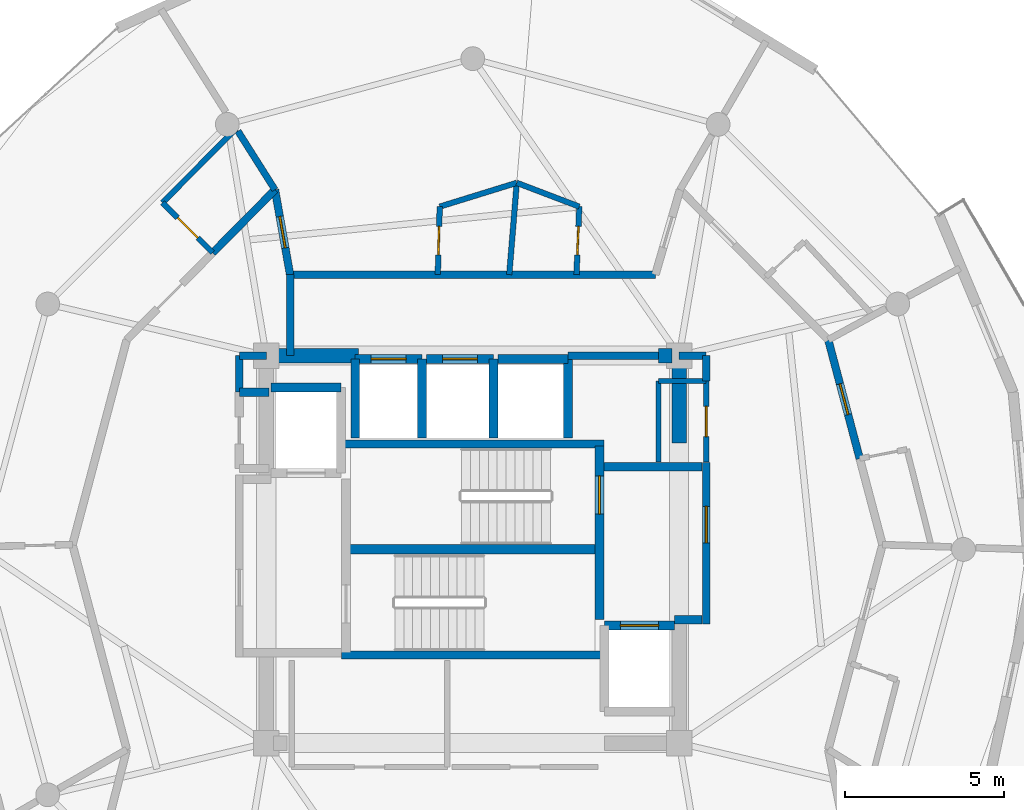
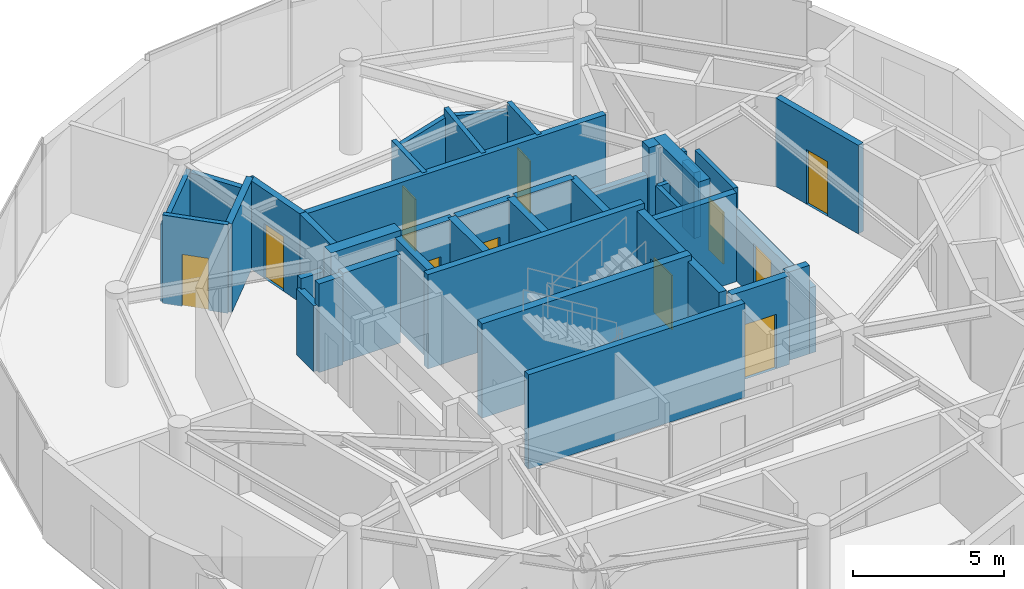
# One storey, part 18 of 22: 41 walls, 11 doors, 11 openings.
"""IFC4 building model written with IfcOpenShell, lengths in metres."""

from ifc_helpers import new_model, si_unit, direction, frame, frame_2d, origin, place, context, subcontext, project, spatial, rectangle, extrude, material, layer, layer_set, type_object, element, fill, save


model = new_model("IFC4")

# Units and contexts
model_context = context("Model", 3, precision=1e-05, world=origin(), true_north=direction((0.0, 1.0)))
body_context = subcontext(model_context, "Body", "Model", "MODEL_VIEW")
ifc_project = project(units=[si_unit("LENGTHUNIT", "METRE"), si_unit("AREAUNIT", "SQUARE_METRE"), si_unit("VOLUMEUNIT", "CUBIC_METRE"), si_unit("PLANEANGLEUNIT", "RADIAN"), si_unit("MASSUNIT", "GRAM", prefix="KILO")], contexts=[model_context])

# Site, building, storey
site_placement = place(None, origin())
site = spatial("IfcSite", under=ifc_project, at=site_placement, CompositionType="ELEMENT")
building_placement = place(site_placement, origin())
building = spatial("IfcBuilding", under=site, at=building_placement, Name="Solvirekh Grand Hotel", CompositionType="ELEMENT")
storey_placement = place(building_placement, frame((0.0, 0.0, 289.60009765625)))
storey = spatial("IfcBuildingStorey", under=building, at=storey_placement, Name="L75", CompositionType="ELEMENT", Elevation=289.60009765625)

# Walls
ifc_material_1 = material(Name="Concrete C50/60", Category="concrete")
ifc_layer_1 = layer(ifc_material_1, 0.35009765625)
ifc_layer_set_1 = layer_set([ifc_layer_1], Name="Concrete C50/60")
wall_type_1 = type_object("IfcWallType", Name="CoreDivWall_RC350", PredefinedType="SOLIDWALL", material=ifc_layer_set_1)
for number, where, z_axis, x_axis, name in (
    (1, (-4.1298828125, -3.324951171875, 0.0), (0.0, 0.0, 1.0), (1.0, 0.0, 0.0), "L75 core stair box wall ST-S"),
    (2, (-4.1298828125, 3.324951171875, 0.0), (0.0, 0.0, 1.0), (1.0, 0.0, 0.0), "L75 core stair box wall ST-N"),
):
    element("IfcWall", number, at=place(storey_placement, frame(where, z_axis=z_axis, x_axis=x_axis)), inside=storey, type_object=wall_type_1, Name=name, PredefinedType="SOLIDWALL", context=body_context, shape_type="SweptSolid", body=[
        extrude(rectangle(XDim=8.259765625, YDim=0.25, at=frame_2d((4.1298828125, 0.0))), origin(), (0.0, 0.0, 1.0), 3.7998046875),
    ])

# Wall, opening, door
ifc_material_2 = material(Name="Concrete C40/50", Category="concrete")
ifc_layer_2 = layer(ifc_material_2, 0.280029296875)
ifc_layer_set_2 = layer_set([ifc_layer_2], Name="Concrete C40/50")
wall_type_2 = type_object("IfcWallType", Name="CoreShaftWall_RC280", PredefinedType="SOLIDWALL", material=ifc_layer_set_2)
wall_1_placement = place(storey_placement, frame((-1.60009765625, 6.0, 0.0), z_axis=(0.0, 0.0, 1.0), x_axis=(-1.0, 0.0, 0.0)))
wall_1 = element("IfcWall", 3, at=wall_1_placement, inside=storey, type_object=wall_type_2, Name="L75 HP-1 hoistway N wall", PredefinedType="SOLIDWALL", context=body_context, shape_type="SweptSolid", body=[
    extrude(rectangle(XDim=2.099853515625, YDim=0.280029296875, at=frame_2d((1.0498046875, 0.0))), origin(), (0.0, 0.0, 1.0), 3.56982421875),
])
opening_1_placement = place(wall_1_placement, frame((0.5, 0.0, 0.0)))
opening_1 = element("IfcOpeningElement", 4, at=opening_1_placement, cuts=wall_1, Name="Opening LD01", PredefinedType="OPENING", context=body_context, shape_type="SweptSolid", body=[
    extrude(rectangle(XDim=1.10009765625, YDim=2.199951171875, at=frame_2d((0.550048828125, 1.10009765625))), frame((0.0, 0.14990234375, 0.0), z_axis=(0.0, -1.0, 0.0), x_axis=(1.0, 0.0, 0.0)), (0.0, 0.0, 1.0), 0.300048828125),
])
ifc_material_3 = material(Name="Fire-Rated Steel Door Assembly", Category="steel")
door_type_1 = type_object("IfcDoorType", Name="Door_LiftLanding_1100X2200", OperationType="SLIDING_TO_LEFT", PredefinedType="DOOR", material=ifc_material_3)
door_1_placement = place(opening_1_placement, origin())
door_1 = element("IfcDoor", 5, at=door_1_placement, inside=storey, type_object=door_type_1, Name="L75 HP-1 sliding lift landing door", OperationType="SLIDING_TO_LEFT", OverallHeight=2.199951171875, OverallWidth=1.10009765625, PredefinedType="DOOR", context=body_context, shape_type="SweptSolid", body=[
    extrude(rectangle(XDim=1.10009765625, YDim=2.199951171875, at=frame_2d((0.550048828125, 1.10009765625))), frame((0.0, 0.02490234375, 0.0), z_axis=(0.0, -1.0, 0.0), x_axis=(1.0, 0.0, 0.0)), (0.0, 0.0, 1.0), 0.050048828125),
])
fill(opening_1, door_1)

# Walls
for number, where, z_axis, x_axis, name in (
    (6, (-3.699951171875, 6.0, 0.0), (0.0, 0.0, 1.0), (0.0, -1.0, 0.0), "L75 HP-1 hoistway W wall"),
    (7, (-1.60009765625, 3.5, 0.0), (0.0, 0.0, 1.0), (0.0, 1.0, 0.0), "L75 HP-1 hoistway E wall"),
):
    element("IfcWall", number, at=place(storey_placement, frame(where, z_axis=z_axis, x_axis=x_axis)), inside=storey, type_object=wall_type_2, Name=name, PredefinedType="SOLIDWALL", context=body_context, shape_type="SweptSolid", body=[
        extrude(rectangle(XDim=2.5, YDim=0.280029296875, at=frame_2d((1.25, 0.0))), origin(), (0.0, 0.0, 1.0), 3.56982421875),
    ])

# Wall, opening, door
wall_2_placement = place(storey_placement, frame((0.64990234375, 6.0, 0.0), z_axis=(0.0, 0.0, 1.0), x_axis=(-1.0, 0.0, 0.0)))
wall_2 = element("IfcWall", 8, at=wall_2_placement, inside=storey, type_object=wall_type_2, Name="L75 HP-2 hoistway N wall", PredefinedType="SOLIDWALL", context=body_context, shape_type="SweptSolid", body=[
    extrude(rectangle(XDim=2.099853515625, YDim=0.280029296875, at=frame_2d((1.0498046875, 0.0))), origin(), (0.0, 0.0, 1.0), 3.56982421875),
])
opening_2_placement = place(wall_2_placement, frame((0.5, 0.0, 0.0)))
opening_2 = element("IfcOpeningElement", 9, at=opening_2_placement, cuts=wall_2, Name="Opening LD01", PredefinedType="OPENING", context=body_context, shape_type="SweptSolid", body=[
    extrude(rectangle(XDim=1.10009765625, YDim=2.199951171875, at=frame_2d((0.550048828125, 1.10009765625))), frame((0.0, 0.14990234375, 0.0), z_axis=(0.0, -1.0, 0.0), x_axis=(1.0, 0.0, 0.0)), (0.0, 0.0, 1.0), 0.300048828125),
])
door_2_placement = place(opening_2_placement, origin())
door_2 = element("IfcDoor", 10, at=door_2_placement, inside=storey, type_object=door_type_1, Name="L75 HP-2 sliding lift landing door", OperationType="SLIDING_TO_LEFT", OverallHeight=2.199951171875, OverallWidth=1.10009765625, PredefinedType="DOOR", context=body_context, shape_type="SweptSolid", body=[
    extrude(rectangle(XDim=1.10009765625, YDim=2.199951171875, at=frame_2d((0.550048828125, 1.10009765625))), frame((0.0, 0.02490234375, 0.0), z_axis=(0.0, -1.0, 0.0), x_axis=(1.0, 0.0, 0.0)), (0.0, 0.0, 1.0), 0.050048828125),
])
fill(opening_2, door_2)

# Walls
wall_3_placement = place(storey_placement, frame((0.64990234375, 3.5, 0.0), z_axis=(0.0, 0.0, 1.0), x_axis=(0.0, 1.0, 0.0)))
element("IfcWall", 11, at=wall_3_placement, inside=storey, type_object=wall_type_2, Name="L75 HP-2 hoistway E wall", PredefinedType="SOLIDWALL", context=body_context, shape_type="SweptSolid", body=[
    extrude(rectangle(XDim=2.5, YDim=0.280029296875, at=frame_2d((1.25, 0.0))), origin(), (0.0, 0.0, 1.0), 3.56982421875),
])
wall_4_placement = place(storey_placement, frame((3.0, 6.0, 0.0), z_axis=(0.0, 0.0, 1.0), x_axis=(-1.0, 0.0, 0.0)))
element("IfcWall", 12, at=wall_4_placement, inside=storey, type_object=wall_type_2, Name="L75 EX-1 hoistway N wall", PredefinedType="SOLIDWALL", context=body_context, shape_type="SweptSolid", body=[
    extrude(rectangle(XDim=2.199951171875, YDim=0.280029296875, at=frame_2d((1.10009765625, 0.0))), origin(), (0.0, 0.0, 1.0), 3.56982421875),
])
wall_5_placement = place(storey_placement, frame((3.0, 3.5, 0.0), z_axis=(0.0, 0.0, 1.0), x_axis=(0.0, 1.0, 0.0)))
element("IfcWall", 13, at=wall_5_placement, inside=storey, type_object=wall_type_2, Name="L75 EX-1 hoistway E wall", PredefinedType="SOLIDWALL", context=body_context, shape_type="SweptSolid", body=[
    extrude(rectangle(XDim=2.5, YDim=0.280029296875, at=frame_2d((1.25, 0.0))), origin(), (0.0, 0.0, 1.0), 3.56982421875),
])
wall_6_placement = place(storey_placement, frame((-4.14990234375, 5.10009765625, 0.0), z_axis=(0.0, 0.0, 1.0), x_axis=(-1.0, 0.0, 0.0)))
element("IfcWall", 14, at=wall_6_placement, inside=storey, type_object=wall_type_2, Name="L75 FL-1 hoistway N wall", PredefinedType="SOLIDWALL", context=body_context, shape_type="SweptSolid", body=[
    extrude(rectangle(XDim=2.2001953125, YDim=0.280029296875, at=frame_2d((1.10009765625, 0.0))), origin(), (0.0, 0.0, 1.0), 3.56982421875),
])

# Wall, opening, door
wall_7_placement = place(storey_placement, frame((6.35009765625, -2.39990234375, 0.0), z_axis=(0.0, 0.0, 1.0), x_axis=(-1.0, 0.0, 0.0)))
wall_7 = element("IfcWall", 15, at=wall_7_placement, inside=storey, type_object=wall_type_2, Name="L75 FL-2 hoistway N wall", PredefinedType="SOLIDWALL", context=body_context, shape_type="SweptSolid", body=[
    extrude(rectangle(XDim=2.2001953125, YDim=0.280029296875, at=frame_2d((1.10009765625, 0.0))), origin(), (0.0, 0.0, 1.0), 3.56982421875),
])
opening_3_placement = place(wall_7_placement, frame((0.5, 0.0, 0.0)))
opening_3 = element("IfcOpeningElement", 16, at=opening_3_placement, cuts=wall_7, Name="Opening LD02", PredefinedType="OPENING", context=body_context, shape_type="SweptSolid", body=[
    extrude(rectangle(XDim=1.199951171875, YDim=2.199951171875, at=frame_2d((0.60009765625, 1.10009765625))), frame((0.0, 0.14990234375, 0.0), z_axis=(0.0, -1.0, 0.0), x_axis=(1.0, 0.0, 0.0)), (0.0, 0.0, 1.0), 0.300048828125),
])
door_type_2 = type_object("IfcDoorType", Name="Door_LiftFF_1200X2200", OperationType="SLIDING_TO_LEFT", PredefinedType="DOOR", material=ifc_material_3)
door_3_placement = place(opening_3_placement, origin())
door_3 = element("IfcDoor", 17, at=door_3_placement, inside=storey, type_object=door_type_2, Name="L75 FL-2 sliding lift landing door", OperationType="SLIDING_TO_LEFT", OverallHeight=2.199951171875, OverallWidth=1.199951171875, PredefinedType="DOOR", context=body_context, shape_type="SweptSolid", body=[
    extrude(rectangle(XDim=1.199951171875, YDim=2.199951171875, at=frame_2d((0.60009765625, 1.10009765625))), frame((0.0, 0.02490234375, 0.0), z_axis=(0.0, -1.0, 0.0), x_axis=(1.0, 0.0, 0.0)), (0.0, 0.0, 1.0), 0.050048828125),
])
fill(opening_3, door_3)

wall_8_placement = place(storey_placement, frame((3.989990234375, -2.2099609375, 0.0), z_axis=(0.0, 0.0, 1.0), x_axis=(0.0, 1.0, 0.0)))
wall_8 = element("IfcWall", 18, at=wall_8_placement, inside=storey, type_object=wall_type_2, Name="L75 east stair landing enclosure wall", PredefinedType="SOLIDWALL", context=body_context, shape_type="SweptSolid", body=[
    extrude(rectangle(XDim=5.4599609375, YDim=0.280029296875, at=frame_2d((2.72998046875, 0.0))), origin(), (0.0, 0.0, 1.0), 3.56982421875),
])
opening_4_placement = place(wall_8_placement, frame((3.322998046875, 0.0, 0.0)))
opening_4 = element("IfcOpeningElement", 19, at=opening_4_placement, cuts=wall_8, Name="Opening D05", PredefinedType="OPENING", context=body_context, shape_type="SweptSolid", body=[
    extrude(rectangle(XDim=1.199951171875, YDim=2.199951171875, at=frame_2d((0.60009765625, 1.10009765625))), frame((0.0, 0.14990234375, 0.0), z_axis=(0.0, -1.0, 0.0), x_axis=(1.0, 0.0, 0.0)), (0.0, 0.0, 1.0), 0.300048828125),
])
door_type_3 = type_object("IfcDoorType", Name="Door_StairCore_1200X2200", OperationType="NOTDEFINED", PredefinedType="DOOR", material=ifc_material_3)
door_4_placement = place(opening_4_placement, origin())
door_4 = element("IfcDoor", 20, at=door_4_placement, inside=storey, type_object=door_type_3, Name="L75 exit stair ST-2 fire door", OperationType="SINGLE_SWING_RIGHT", OverallHeight=2.199951171875, OverallWidth=1.199951171875, PredefinedType="DOOR", context=body_context, shape_type="SweptSolid", body=[
    extrude(rectangle(XDim=1.199951171875, YDim=2.199951171875, at=frame_2d((0.60009765625, 1.10009765625))), frame((0.0, 0.02490234375, 0.0), z_axis=(0.0, -1.0, 0.0), x_axis=(1.0, 0.0, 0.0)), (0.0, 0.0, 1.0), 0.050048828125),
])
fill(opening_4, door_4)

# Walls
ifc_layer_3 = layer(ifc_material_1, 0.449951171875)
ifc_layer_set_3 = layer_set([ifc_layer_3], Name="Concrete C50/60")
wall_type_3 = type_object("IfcWallType", Name="CoreWall_RC450", PredefinedType="SHEAR", material=ifc_layer_set_3)
wall_9_placement = place(storey_placement, frame((-3.989990234375, 0.0, 0.0), z_axis=(0.0, 0.0, 1.0), x_axis=(1.0, 0.0, 0.0)))
element("IfcWall", 21, at=wall_9_placement, inside=storey, type_object=wall_type_3, Name="L75 central stair-spine shear wall", PredefinedType="SHEAR", context=body_context, shape_type="SweptSolid", body=[
    extrude(rectangle(XDim=7.97998046875, YDim=0.300048828125, at=frame_2d((3.989990234375, 0.0))), origin(), (0.0, 0.0, 1.0), 3.7998046875),
])
wall_10_placement = place(storey_placement, frame((-6.27490234375, 6.10009765625, 0.0), z_axis=(0.0, 0.0, 1.0), x_axis=(1.0, 0.0, 0.0)))
element("IfcWall", 22, at=wall_10_placement, inside=storey, type_object=wall_type_3, Name="L75 core corner shear wall NW-N", PredefinedType="SHEAR", context=body_context, shape_type="SweptSolid", body=[
    extrude(rectangle(XDim=2.6748046875, YDim=0.449951171875, at=frame_2d((1.33740234375, 0.0))), origin(), (0.0, 0.0, 1.0), 3.7998046875),
])
wall_11_placement = place(storey_placement, frame((5.85009765625, 6.10009765625, 0.0), z_axis=(0.0, 0.0, 1.0), x_axis=(1.0, 0.0, 0.0)))
element("IfcWall", 23, at=wall_11_placement, inside=storey, type_object=wall_type_3, Name="L75 core corner shear wall NE-N", PredefinedType="SHEAR", context=body_context, shape_type="SweptSolid", body=[
    extrude(rectangle(XDim=0.4248046875, YDim=0.449951171875, at=frame_2d((0.21240234375, 0.0))), origin(), (0.0, 0.0, 1.0), 3.7998046875),
])
wall_12_placement = place(storey_placement, frame((6.5, 3.35009765625, 0.0), z_axis=(0.0, 0.0, 1.0), x_axis=(0.0, 1.0, 0.0)))
element("IfcWall", 24, at=wall_12_placement, inside=storey, type_object=wall_type_3, Name="L75 core corner shear wall EN-E", PredefinedType="SHEAR", context=body_context, shape_type="SweptSolid", body=[
    extrude(rectangle(XDim=2.974853515625, YDim=0.449951171875, at=frame_2d((1.4873046875, 0.0))), origin(), (0.0, 0.0, 1.0), 3.7998046875),
])

# Wall, opening, door
ifc_material_4 = material(Name="Acoustic Gypsum Partition Assembly")
ifc_layer_4 = layer(ifc_material_4, 0.1650390625)
ifc_layer_set_4 = layer_set([ifc_layer_4], Name="Acoustic Gypsum Partition Assembly")
wall_type_4 = type_object("IfcWallType", Name="Part_BOH_165", PredefinedType="PARTITIONING", material=ifc_layer_set_4)
wall_13_placement = place(storey_placement, frame((7.35009765625, 2.75, 0.0), z_axis=(0.0, 0.0, 1.0), x_axis=(0.0, 1.0, 0.0)))
wall_13 = element("IfcWall", 25, at=wall_13_placement, inside=storey, type_object=wall_type_4, Name="L75 L75 Core Housekeeping & Linen Room wall 2", PredefinedType="PARTITIONING", context=body_context, shape_type="SweptSolid", body=[
    extrude(rectangle(XDim=2.550048828125, YDim=0.1650390625, at=frame_2d((1.27490234375, 0.0))), origin(), (0.0, 0.0, 1.0), 3.56982421875),
])
opening_5_placement = place(wall_13_placement, frame((0.800048828125, 0.0, 0.0)))
opening_5 = element("IfcOpeningElement", 26, at=opening_5_placement, cuts=wall_13, Name="Opening D10", PredefinedType="OPENING", context=body_context, shape_type="SweptSolid", body=[
    extrude(rectangle(XDim=0.949951171875, YDim=2.10009765625, at=frame_2d((0.47509765625, 1.050048828125))), frame((0.0, 0.092529296875, 0.0), z_axis=(0.0, -1.0, 0.0), x_axis=(1.0, 0.0, 0.0)), (0.0, 0.0, 1.0), 0.18505859375),
])
ifc_material_5 = material(Name="Anodized Bronze Aluminium 6063-T6", Category="aluminium")
door_type_4 = type_object("IfcDoorType", Name="Door_RoomInt_950X2100", OperationType="NOTDEFINED", PredefinedType="DOOR", material=ifc_material_5)
door_5_placement = place(opening_5_placement, origin())
door_5 = element("IfcDoor", 27, at=door_5_placement, inside=storey, type_object=door_type_4, Name="L75 L75 Core Housekeeping & Linen Room door", OperationType="SINGLE_SWING_RIGHT", OverallHeight=2.10009765625, OverallWidth=0.949951171875, PredefinedType="DOOR", context=body_context, shape_type="SweptSolid", body=[
    extrude(rectangle(XDim=0.949951171875, YDim=2.10009765625, at=frame_2d((0.47509765625, 1.050048828125))), frame((0.0, 0.02490234375, 0.0), z_axis=(0.0, -1.0, 0.0), x_axis=(1.0, 0.0, 0.0)), (0.0, 0.0, 1.0), 0.050048828125),
])
fill(opening_5, door_5)

# Walls
wall_14_placement = place(storey_placement, frame((7.35009765625, 5.300048828125, 0.0), z_axis=(0.0, 0.0, 1.0), x_axis=(-1.0, 0.0, 0.0)))
element("IfcWall", 28, at=wall_14_placement, inside=storey, type_object=wall_type_4, Name="L75 L75 Core Housekeeping & Linen Room wall 3", PredefinedType="PARTITIONING", context=body_context, shape_type="SweptSolid", body=[
    extrude(rectangle(XDim=1.5, YDim=0.1650390625, at=frame_2d((0.75, 0.0))), origin(), (0.0, 0.0, 1.0), 2.65478515625),
])
wall_15_placement = place(storey_placement, frame((5.85009765625, 5.300048828125, 0.0), z_axis=(0.0, 0.0, 1.0), x_axis=(0.0, -1.0, 0.0)))
element("IfcWall", 29, at=wall_15_placement, inside=storey, type_object=wall_type_4, Name="L75 L75 Core Housekeeping & Linen Room wall 4", PredefinedType="PARTITIONING", context=body_context, shape_type="SweptSolid", body=[
    extrude(rectangle(XDim=2.550048828125, YDim=0.1650390625, at=frame_2d((1.27490234375, 0.0))), origin(), (0.0, 0.0, 1.0), 2.65478515625),
])

# Wall, opening, door
ifc_layer_5 = layer(ifc_material_4, 0.239990234375)
ifc_layer_set_5 = layer_set([ifc_layer_5], Name="Acoustic Gypsum Partition Assembly")
wall_type_5 = type_object("IfcWallType", Name="Part_Corridor_240", PredefinedType="PARTITIONING", material=ifc_layer_set_5)
wall_16_placement = place(storey_placement, frame((7.35009765625, -2.340087890625, 0.0), z_axis=(0.0, 0.0, 1.0), x_axis=(0.0, 1.0, 0.0)))
wall_16 = element("IfcWall", 30, at=wall_16_placement, inside=storey, type_object=wall_type_5, Name="L75 east firefighting lobby smoke screen wall", PredefinedType="PARTITIONING", context=body_context, shape_type="SweptSolid", body=[
    extrude(rectangle(XDim=5.070068359375, YDim=0.239990234375, at=frame_2d((2.53515625, 0.0))), origin(), (0.0, 0.0, 1.0), 2.65478515625),
])
opening_6_placement = place(wall_16_placement, frame((2.548095703125, 0.0, 0.0)))
opening_6 = element("IfcOpeningElement", 31, at=opening_6_placement, cuts=wall_16, Name="Opening D06", PredefinedType="OPENING", context=body_context, shape_type="SweptSolid", body=[
    extrude(rectangle(XDim=1.14990234375, YDim=2.199951171875, at=frame_2d((0.574951171875, 1.10009765625))), frame((0.0, 0.1298828125, 0.0), z_axis=(0.0, -1.0, 0.0), x_axis=(1.0, 0.0, 0.0)), (0.0, 0.0, 1.0), 0.260009765625),
])
door_type_5 = type_object("IfcDoorType", Name="Door_FFLobby_1150X2200", OperationType="NOTDEFINED", PredefinedType="DOOR", material=ifc_material_3)
door_6_placement = place(opening_6_placement, origin())
door_6 = element("IfcDoor", 32, at=door_6_placement, inside=storey, type_object=door_type_5, Name="L75 east firefighting lobby smoke door", OperationType="SINGLE_SWING_RIGHT", OverallHeight=2.199951171875, OverallWidth=1.14990234375, PredefinedType="DOOR", context=body_context, shape_type="SweptSolid", body=[
    extrude(rectangle(XDim=1.14990234375, YDim=2.199951171875, at=frame_2d((0.574951171875, 1.10009765625))), frame((0.0, 0.02490234375, 0.0), z_axis=(0.0, -1.0, 0.0), x_axis=(1.0, 0.0, 0.0)), (0.0, 0.0, 1.0), 0.050048828125),
])
fill(opening_6, door_6)

# Walls
wall_17_placement = place(storey_placement, frame((-5.75, 8.64990234375, 0.0), z_axis=(0.0, 0.0, 1.0), x_axis=(1.0, 0.0, 0.0)))
element("IfcWall", 33, at=wall_17_placement, inside=storey, type_object=wall_type_5, Name="L75 north lift lobby enclosure wall", PredefinedType="PARTITIONING", context=body_context, shape_type="SweptSolid", body=[
    extrude(rectangle(XDim=11.5, YDim=0.239990234375, at=frame_2d((5.75, 0.0))), origin(), (0.0, 0.0, 1.0), 3.56982421875),
])
wall_18_placement = place(storey_placement, frame((3.0, 6.10009765625, 0.0), z_axis=(0.0, 0.0, 1.0), x_axis=(1.0, 0.0, 0.0)))
element("IfcWall", 34, at=wall_18_placement, inside=storey, type_object=wall_type_5, Name="L75 north core shaft infill wall", PredefinedType="PARTITIONING", context=body_context, shape_type="SweptSolid", body=[
    extrude(rectangle(XDim=2.85009765625, YDim=0.239990234375, at=frame_2d((1.425048828125, 0.0))), origin(), (0.0, 0.0, 1.0), 2.65478515625),
])
wall_19_placement = place(storey_placement, frame((7.35009765625, 5.300048828125, 0.0), z_axis=(0.0, 0.0, 1.0), x_axis=(0.0, 1.0, 0.0)))
element("IfcWall", 35, at=wall_19_placement, inside=storey, type_object=wall_type_5, Name="L75 NE core cheek closure wall", PredefinedType="PARTITIONING", context=body_context, shape_type="SweptSolid", body=[
    extrude(rectangle(XDim=0.800048828125, YDim=0.239990234375, at=frame_2d((0.39990234375, 0.0))), origin(), (0.0, 0.0, 1.0), 2.65478515625),
])
wall_20_placement = place(storey_placement, frame((6.5, 6.10009765625, 0.0), z_axis=(0.0, 0.0, 1.0), x_axis=(1.0, 0.0, 0.0)))
element("IfcWall", 36, at=wall_20_placement, inside=storey, type_object=wall_type_5, Name="L75 NE core corner tie wall", PredefinedType="PARTITIONING", context=body_context, shape_type="SweptSolid", body=[
    extrude(rectangle(XDim=0.85009765625, YDim=0.239990234375, at=frame_2d((0.425048828125, 0.0))), origin(), (0.0, 0.0, 1.0), 3.0849609375),
])
wall_21_placement = place(storey_placement, frame((-5.75, 6.10009765625, 0.0), z_axis=(0.0, 0.0, 1.0), x_axis=(0.0, 1.0, 0.0)))
element("IfcWall", 37, at=wall_21_placement, inside=storey, type_object=wall_type_5, Name="L75 north lift lobby west wall", PredefinedType="PARTITIONING", context=body_context, shape_type="SweptSolid", body=[
    extrude(rectangle(XDim=2.5498046875, YDim=0.239990234375, at=frame_2d((1.27490234375, 0.0))), origin(), (0.0, 0.0, 1.0), 3.56982421875),
])
wall_22_placement = place(storey_placement, frame((-7.35009765625, 4.949951171875, 0.0), z_axis=(0.0, 0.0, 1.0), x_axis=(0.0, 1.0, 0.0)))
element("IfcWall", 38, at=wall_22_placement, inside=storey, type_object=wall_type_5, Name="L75 NW core cheek closure wall", PredefinedType="PARTITIONING", context=body_context, shape_type="SweptSolid", body=[
    extrude(rectangle(XDim=1.150146484375, YDim=0.239990234375, at=frame_2d((0.5751953125, 0.0))), origin(), (0.0, 0.0, 1.0), 2.65478515625),
])
wall_23_placement = place(storey_placement, frame((-7.35009765625, 6.10009765625, 0.0), z_axis=(0.0, 0.0, 1.0), x_axis=(1.0, 0.0, 0.0)))
element("IfcWall", 39, at=wall_23_placement, inside=storey, type_object=wall_type_5, Name="L75 NW core corner tie wall", PredefinedType="PARTITIONING", context=body_context, shape_type="SweptSolid", body=[
    extrude(rectangle(XDim=0.85009765625, YDim=0.239990234375, at=frame_2d((0.425048828125, 0.0))), origin(), (0.0, 0.0, 1.0), 3.0849609375),
])

# Wall, opening, door
wall_24_placement = place(storey_placement, frame((-6.22509765625, 11.322021484375, 0.0), z_axis=(0.0, 0.0, 1.0), x_axis=(0.175052712288, -0.984559062688, 0.0)))
wall_24 = element("IfcWall", 40, at=wall_24_placement, inside=storey, type_object=wall_type_5, Name="L75 Panorama Suite 7702 entrance wall", PredefinedType="PARTITIONING", context=body_context, shape_type="SweptSolid", body=[
    extrude(rectangle(XDim=2.714111328125, YDim=0.239990234375, at=frame_2d((1.35693359375, 0.0))), origin(), (0.0, 0.0, 1.0), 3.56982421875),
])
opening_7_placement = place(wall_24_placement, frame((0.85693359375, 0.0, 0.0)))
opening_7 = element("IfcOpeningElement", 41, at=opening_7_placement, cuts=wall_24, Name="Opening D07", PredefinedType="OPENING", context=body_context, shape_type="SweptSolid", body=[
    extrude(rectangle(XDim=1.0, YDim=2.199951171875, at=frame_2d((0.5, 1.10009765625))), frame((0.0, 0.1298828125, 0.0), z_axis=(0.0, -1.0, 0.0), x_axis=(1.0, 0.0, 0.0)), (0.0, 0.0, 1.0), 0.260009765625),
])
door_type_6 = type_object("IfcDoorType", Name="Door_GuestEntry_1000X2200", OperationType="NOTDEFINED", PredefinedType="DOOR", material=ifc_material_3)
door_7_placement = place(opening_7_placement, origin())
door_7 = element("IfcDoor", 42, at=door_7_placement, inside=storey, type_object=door_type_6, Name="L75 Panorama Suite 7702 entrance door", OperationType="SINGLE_SWING_RIGHT", OverallHeight=2.199951171875, OverallWidth=1.0, PredefinedType="DOOR", context=body_context, shape_type="SweptSolid", body=[
    extrude(rectangle(XDim=1.0, YDim=2.199951171875, at=frame_2d((0.5, 1.10009765625))), frame((0.0, 0.02490234375, 0.0), z_axis=(0.0, -1.0, 0.0), x_axis=(1.0, 0.0, 0.0)), (0.0, 0.0, 1.0), 0.050048828125),
])
fill(opening_7, door_7)

# Wall
wall_25_placement = place(storey_placement, frame((-6.22509765625, 11.322021484375, 0.0), z_axis=(0.0, 0.0, 1.0), x_axis=(-0.702979205765, -0.711210402245, 0.0)))
element("IfcWall", 43, at=wall_25_placement, inside=storey, type_object=wall_type_5, Name="L75 En-suite Bathroom 7703 corridor backing wall", PredefinedType="PARTITIONING", context=body_context, shape_type="SweptSolid", body=[
    extrude(rectangle(XDim=2.7880859375, YDim=0.239990234375, at=frame_2d((1.39404296875, 0.0))), origin(), (0.0, 0.0, 1.0), 3.56982421875),
])

# Wall, opening, door
wall_26_placement = place(storey_placement, frame((12.18310546875, 2.85888671875, 0.0), z_axis=(0.0, 0.0, 1.0), x_axis=(-0.256107548437, 0.966648293659, 0.0)))
wall_26 = element("IfcWall", 44, at=wall_26_placement, inside=storey, type_object=wall_type_5, Name="L75 Deluxe Guestroom 7705 entrance wall", PredefinedType="PARTITIONING", context=body_context, shape_type="SweptSolid", body=[
    extrude(rectangle(XDim=3.870361328125, YDim=0.239990234375, at=frame_2d((1.93505859375, 0.0))), origin(), (0.0, 0.0, 1.0), 3.56982421875),
])
opening_8_placement = place(wall_26_placement, frame((1.43505859375, 0.0, 0.0)))
opening_8 = element("IfcOpeningElement", 45, at=opening_8_placement, cuts=wall_26, Name="Opening D07", PredefinedType="OPENING", context=body_context, shape_type="SweptSolid", body=[
    extrude(rectangle(XDim=1.0, YDim=2.199951171875, at=frame_2d((0.5, 1.10009765625))), frame((0.0, 0.1298828125, 0.0), z_axis=(0.0, -1.0, 0.0), x_axis=(1.0, 0.0, 0.0)), (0.0, 0.0, 1.0), 0.260009765625),
])
door_8_placement = place(opening_8_placement, origin())
door_8 = element("IfcDoor", 46, at=door_8_placement, inside=storey, type_object=door_type_6, Name="L75 Deluxe Guestroom 7705 entrance door", OperationType="SINGLE_SWING_RIGHT", OverallHeight=2.199951171875, OverallWidth=1.0, PredefinedType="DOOR", context=body_context, shape_type="SweptSolid", body=[
    extrude(rectangle(XDim=1.0, YDim=2.199951171875, at=frame_2d((0.5, 1.10009765625))), frame((0.0, 0.02490234375, 0.0), z_axis=(0.0, -1.0, 0.0), x_axis=(1.0, 0.0, 0.0)), (0.0, 0.0, 1.0), 0.050048828125),
])
fill(opening_8, door_8)

# Walls
ifc_layer_6 = layer(ifc_material_4, 0.260009765625)
ifc_layer_set_6 = layer_set([ifc_layer_6], Name="Acoustic Gypsum Partition Assembly")
wall_type_6 = type_object("IfcWallType", Name="Part_LobbyFF_260", PredefinedType="PARTITIONING", material=ifc_layer_set_6)
wall_27_placement = place(storey_placement, frame((6.35009765625, -2.2099609375, 0.0), z_axis=(0.0, 0.0, 1.0), x_axis=(1.0, 0.0, 0.0)))
element("IfcWall", 47, at=wall_27_placement, inside=storey, type_object=wall_type_6, Name="L75 east firefighting lobby SE cheek", PredefinedType="PARTITIONING", context=body_context, shape_type="SweptSolid", body=[
    extrude(rectangle(XDim=0.875, YDim=0.260009765625, at=frame_2d((0.4375, 0.0))), origin(), (0.0, 0.0, 1.0), 3.56982421875),
])
wall_28_placement = place(storey_placement, frame((4.1298828125, 2.60009765625, 0.0), z_axis=(0.0, 0.0, 1.0), x_axis=(1.0, 0.0, 0.0)))
element("IfcWall", 48, at=wall_28_placement, inside=storey, type_object=wall_type_6, Name="L75 east firefighting lobby north partition", PredefinedType="PARTITIONING", context=body_context, shape_type="SweptSolid", body=[
    extrude(rectangle(XDim=3.09521484375, YDim=0.260009765625, at=frame_2d((1.547607421875, 0.0))), origin(), (0.0, 0.0, 1.0), 3.56982421875),
])
wall_29_placement = place(storey_placement, frame((-7.35009765625, 4.949951171875, 0.0), z_axis=(0.0, 0.0, 1.0), x_axis=(1.0, 0.0, 0.0)))
element("IfcWall", 49, at=wall_29_placement, inside=storey, type_object=wall_type_6, Name="L75 NW telecom metering cupboard north wall", PredefinedType="PARTITIONING", context=body_context, shape_type="SweptSolid", body=[
    extrude(rectangle(XDim=0.93017578125, YDim=0.260009765625, at=frame_2d((0.465087890625, 0.0))), origin(), (0.0, 0.0, 1.0), 3.56982421875),
])
ifc_layer_7 = layer(ifc_material_4, 0.2099609375)
ifc_layer_set_7 = layer_set([ifc_layer_7], Name="Acoustic Gypsum Partition Assembly")
wall_type_7 = type_object("IfcWallType", Name="Part_SuiteDemise_210", PredefinedType="PARTITIONING", material=ifc_layer_set_7)
wall_30_placement = place(storey_placement, frame((-6.22509765625, 11.322021484375, 0.0), z_axis=(0.0, 0.0, 1.0), x_axis=(-0.534363069493, 0.845255056159, 0.0)))
element("IfcWall", 50, at=wall_30_placement, inside=storey, type_object=wall_type_7, Name="L75 suite radial wall 5 (A)", PredefinedType="PARTITIONING", context=body_context, shape_type="SweptSolid", body=[
    extrude(rectangle(XDim=2.183837890625, YDim=0.2099609375, at=frame_2d((1.091796875, 0.0))), origin(), (0.0, 0.0, 1.0), 3.0849609375),
])
ifc_layer_8 = layer(ifc_material_4, 0.175048828125)
ifc_layer_set_8 = layer_set([ifc_layer_8], Name="Acoustic Gypsum Partition Assembly")
wall_type_8 = type_object("IfcWallType", Name="Plumb_Ensuite_175", PredefinedType="PLUMBINGWALL", material=ifc_layer_set_8)
wall_31_placement = place(storey_placement, frame((1.385986328125, 11.541015625, 0.0), z_axis=(0.0, 0.0, 1.0), x_axis=(0.934443654622, -0.356111016871, 0.0)))
element("IfcWall", 51, at=wall_31_placement, inside=storey, type_object=wall_type_8, Name="L75 En-suite Bathroom 7701 outer plumbing wall", PredefinedType="PLUMBINGWALL", context=body_context, shape_type="SweptSolid", body=[
    extrude(rectangle(XDim=2.106201171875, YDim=0.175048828125, at=frame_2d((1.05322265625, 0.0))), origin(), (0.0, 0.0, 1.0), 3.2529296875),
])
wall_32_placement = place(storey_placement, frame((1.385986328125, 11.541015625, 0.0), z_axis=(0.0, 0.0, 1.0), x_axis=(-0.081387603682, -0.996682526167, 0.0)))
element("IfcWall", 52, at=wall_32_placement, inside=storey, type_object=wall_type_8, Name="L75 En-suite Bathroom 7701 side plumbing wall", PredefinedType="PLUMBINGWALL", context=body_context, shape_type="SweptSolid", body=[
    extrude(rectangle(XDim=2.900634765625, YDim=0.175048828125, at=frame_2d((1.4501953125, 0.0))), origin(), (0.0, 0.0, 1.0), 3.56982421875),
])

# Wall, opening, door
wall_33_placement = place(storey_placement, frame((3.26611328125, 8.64990234375, 0.0), z_axis=(0.0, 0.0, 1.0), x_axis=(0.041014490153, 0.999158551781, 0.0)))
wall_33 = element("IfcWall", 53, at=wall_33_placement, inside=storey, type_object=wall_type_8, Name="L75 En-suite Bathroom 7701 entry plumbing wall", PredefinedType="PLUMBINGWALL", context=body_context, shape_type="SweptSolid", body=[
    extrude(rectangle(XDim=2.142822265625, YDim=0.175048828125, at=frame_2d((1.0712890625, 0.0))), origin(), (0.0, 0.0, 1.0), 3.56982421875),
])
opening_9_placement = place(wall_33_placement, frame((0.62109375, 0.0, 0.0)))
opening_9 = element("IfcOpeningElement", 54, at=opening_9_placement, cuts=wall_33, Name="Opening D09", PredefinedType="OPENING", context=body_context, shape_type="SweptSolid", body=[
    extrude(rectangle(XDim=0.89990234375, YDim=2.10009765625, at=frame_2d((0.449951171875, 1.050048828125))), frame((0.0, 0.09765625, 0.0), z_axis=(0.0, -1.0, 0.0), x_axis=(1.0, 0.0, 0.0)), (0.0, 0.0, 1.0), 0.195068359375),
])
door_type_7 = type_object("IfcDoorType", Name="Door_Ensuite_900X2100", OperationType="NOTDEFINED", PredefinedType="DOOR", material=ifc_material_5)
door_9_placement = place(opening_9_placement, origin())
door_9 = element("IfcDoor", 55, at=door_9_placement, inside=storey, type_object=door_type_7, Name="L75 En-suite Bathroom 7701 door", OperationType="SINGLE_SWING_LEFT", OverallHeight=2.10009765625, OverallWidth=0.89990234375, PredefinedType="DOOR", context=body_context, shape_type="SweptSolid", body=[
    extrude(rectangle(XDim=0.89990234375, YDim=2.10009765625, at=frame_2d((0.449951171875, 1.050048828125))), frame((0.0, 0.02490234375, 0.0), z_axis=(0.0, -1.0, 0.0), x_axis=(1.0, 0.0, 0.0)), (0.0, 0.0, 1.0), 0.050048828125),
])
fill(opening_9, door_9)

# Wall
wall_34_placement = place(storey_placement, frame((-1.0390625, 10.791015625, 0.0), z_axis=(0.0, 0.0, 1.0), x_axis=(0.955353783444, 0.295464293037, 0.0)))
element("IfcWall", 56, at=wall_34_placement, inside=storey, type_object=wall_type_8, Name="L75 En-suite Bathroom 7702 outer plumbing wall", PredefinedType="PLUMBINGWALL", context=body_context, shape_type="SweptSolid", body=[
    extrude(rectangle(XDim=2.538330078125, YDim=0.175048828125, at=frame_2d((1.26904296875, 0.0))), origin(), (0.0, 0.0, 1.0), 3.2529296875),
])

# Wall, opening, door
wall_35_placement = place(storey_placement, frame((-1.0390625, 10.791015625, 0.0), z_axis=(0.0, 0.0, 1.0), x_axis=(-0.028494696229, -0.999593943703, 0.0)))
wall_35 = element("IfcWall", 57, at=wall_35_placement, inside=storey, type_object=wall_type_8, Name="L75 En-suite Bathroom 7702 entry plumbing wall", PredefinedType="PLUMBINGWALL", context=body_context, shape_type="SweptSolid", body=[
    extrude(rectangle(XDim=2.14208984375, YDim=0.175048828125, at=frame_2d((1.071044921875, 0.0))), origin(), (0.0, 0.0, 1.0), 3.56982421875),
])
opening_10_placement = place(wall_35_placement, frame((0.62109375, 0.0, 0.0)))
opening_10 = element("IfcOpeningElement", 58, at=opening_10_placement, cuts=wall_35, Name="Opening D09", PredefinedType="OPENING", context=body_context, shape_type="SweptSolid", body=[
    extrude(rectangle(XDim=0.89990234375, YDim=2.10009765625, at=frame_2d((0.449951171875, 1.050048828125))), frame((0.0, 0.09765625, 0.0), z_axis=(0.0, -1.0, 0.0), x_axis=(1.0, 0.0, 0.0)), (0.0, 0.0, 1.0), 0.195068359375),
])
door_10_placement = place(opening_10_placement, origin())
door_10 = element("IfcDoor", 59, at=door_10_placement, inside=storey, type_object=door_type_7, Name="L75 En-suite Bathroom 7702 door", OperationType="SINGLE_SWING_LEFT", OverallHeight=2.10009765625, OverallWidth=0.89990234375, PredefinedType="DOOR", context=body_context, shape_type="SweptSolid", body=[
    extrude(rectangle(XDim=0.89990234375, YDim=2.10009765625, at=frame_2d((0.449951171875, 1.050048828125))), frame((0.0, 0.02490234375, 0.0), z_axis=(0.0, -1.0, 0.0), x_axis=(1.0, 0.0, 0.0)), (0.0, 0.0, 1.0), 0.050048828125),
])
fill(opening_10, door_10)

# Wall
wall_36_placement = place(storey_placement, frame((-7.445068359375, 13.251953125, 0.0), z_axis=(0.0, 0.0, 1.0), x_axis=(-0.704803641047, -0.709402444009, 0.0)))
element("IfcWall", 60, at=wall_36_placement, inside=storey, type_object=wall_type_8, Name="L75 En-suite Bathroom 7703 outer plumbing wall", PredefinedType="PLUMBINGWALL", context=body_context, shape_type="SweptSolid", body=[
    extrude(rectangle(XDim=3.29150390625, YDim=0.175048828125, at=frame_2d((1.645751953125, 0.0))), origin(), (0.0, 0.0, 1.0), 3.137939453125),
])

# Wall, opening, door
wall_37_placement = place(storey_placement, frame((-8.18505859375, 9.339111328125, 0.0), z_axis=(0.0, 0.0, 1.0), x_axis=(-0.707544008936, 0.706669282917, 0.0)))
wall_37 = element("IfcWall", 61, at=wall_37_placement, inside=storey, type_object=wall_type_8, Name="L75 En-suite Bathroom 7703 entry plumbing wall", PredefinedType="PLUMBINGWALL", context=body_context, shape_type="SweptSolid", body=[
    extrude(rectangle(XDim=2.23291015625, YDim=0.175048828125, at=frame_2d((1.116455078125, 0.0))), origin(), (0.0, 0.0, 1.0), 3.56982421875),
])
opening_11_placement = place(wall_37_placement, frame((0.6669921875, 0.0, 0.0)))
opening_11 = element("IfcOpeningElement", 62, at=opening_11_placement, cuts=wall_37, Name="Opening D09", PredefinedType="OPENING", context=body_context, shape_type="SweptSolid", body=[
    extrude(rectangle(XDim=0.89990234375, YDim=2.10009765625, at=frame_2d((0.449951171875, 1.050048828125))), frame((0.0, 0.09765625, 0.0), z_axis=(0.0, -1.0, 0.0), x_axis=(1.0, 0.0, 0.0)), (0.0, 0.0, 1.0), 0.195068359375),
])
door_11_placement = place(opening_11_placement, origin())
door_11 = element("IfcDoor", 63, at=door_11_placement, inside=storey, type_object=door_type_7, Name="L75 En-suite Bathroom 7703 door", OperationType="SINGLE_SWING_LEFT", OverallHeight=2.10009765625, OverallWidth=0.89990234375, PredefinedType="DOOR", context=body_context, shape_type="SweptSolid", body=[
    extrude(rectangle(XDim=0.89990234375, YDim=2.10009765625, at=frame_2d((0.449951171875, 1.050048828125))), frame((0.0, 0.02490234375, 0.0), z_axis=(0.0, -1.0, 0.0), x_axis=(1.0, 0.0, 0.0)), (0.0, 0.0, 1.0), 0.050048828125),
])
fill(opening_11, door_11)

save(model, "model.ifc")
